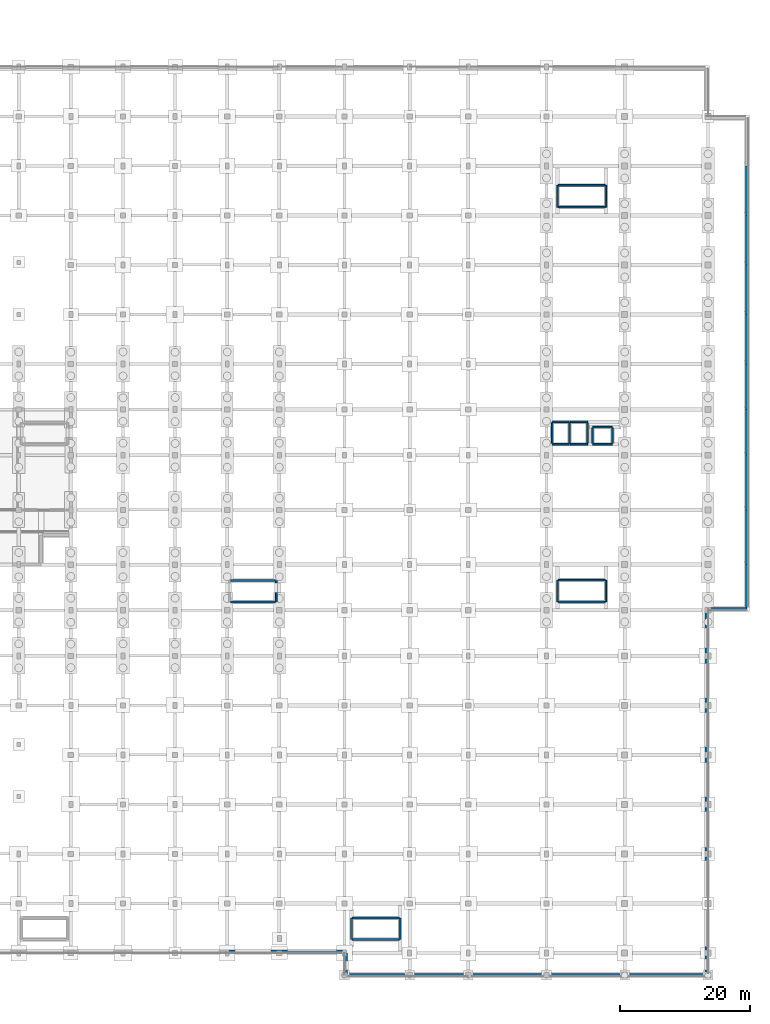
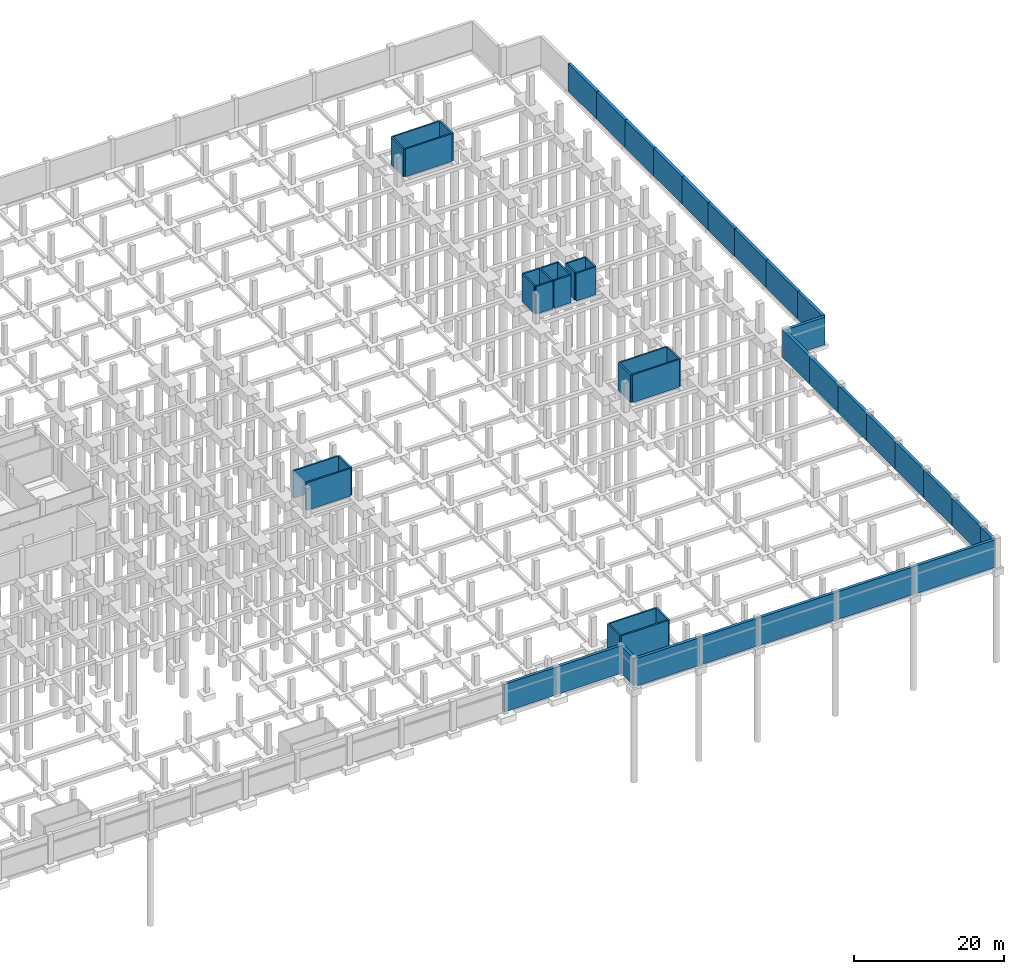
# One storey, part 37 of 50: 52 walls.
"""IFC4 building model written with IfcOpenShell, lengths in metres."""

from ifc_helpers import new_model, si_unit, direction, frame, frame_2d, origin, place, context, subcontext, project, spatial, rectangle, extrude, material, layer, layer_set, type_object, element, save


model = new_model("IFC4")

# Units and contexts
model_context = context("Model", 3, precision=1e-05, world=origin(), true_north=direction((0.0, 1.0)))
body_context = subcontext(model_context, "Body", "Model", "MODEL_VIEW")
ifc_project = project(units=[si_unit("LENGTHUNIT", "METRE"), si_unit("AREAUNIT", "SQUARE_METRE"), si_unit("VOLUMEUNIT", "CUBIC_METRE"), si_unit("PLANEANGLEUNIT", "RADIAN"), si_unit("MASSUNIT", "GRAM", prefix="KILO")], contexts=[model_context])

# Site, building, storey
site_placement = place(None, origin())
site = spatial("IfcSite", under=ifc_project, at=site_placement, CompositionType="ELEMENT")
building_placement = place(site_placement, origin())
building = spatial("IfcBuilding", under=site, at=building_placement, Name="Vekula Escarpment Museum", CompositionType="ELEMENT")
storey_placement = place(building_placement, frame((0.0, 0.0, -4.800048828125)))
storey = spatial("IfcBuildingStorey", under=building, at=storey_placement, Name="B1", CompositionType="ELEMENT", Elevation=-4.800048828125)

# Walls
ifc_material_1 = material(Name="Concrete C35/45", Category="concrete")
ifc_layer_1 = layer(ifc_material_1, 0.25)
ifc_layer_set_1 = layer_set([ifc_layer_1], Name="Concrete C35/45")
wall_type_1 = type_object("IfcWallType", Name="WL-CORE-250", PredefinedType="SHEAR", material=ifc_layer_set_1)
for number, where, z_axis, x_axis, name in (
    (1, (168.675048828125, 53.875, 0.0), (0.0, 0.0, 1.0), (0.0, 1.0, 0.0), "Stair Sub-Plinth Wall ST-02 W"),
    (2, (176.125, 53.875, 0.0), (0.0, 0.0, 1.0), (0.0, 1.0, 0.0), "Stair Sub-Plinth Wall ST-02 E"),
):
    element("IfcWall", number, at=place(storey_placement, frame(where, z_axis=z_axis, x_axis=x_axis)), inside=storey, type_object=wall_type_1, Name=name, PredefinedType="SHEAR", context=body_context, shape_type="SweptSolid", body=[
        extrude(rectangle(XDim=3.35009765625, YDim=0.25, at=frame_2d((1.675048828125, 0.0))), origin(), (0.0, 0.0, 1.0), 4.5),
    ])
for number, where, z_axis, x_axis, name in (
    (3, (168.803955078125, 53.875, 0.0), (0.0, 0.0, 1.0), (1.0, 0.0, 0.0), "Stair Sub-Plinth Wall ST-02 S"),
    (4, (168.803955078125, 57.22509765625, 0.0), (0.0, 0.0, 1.0), (1.0, 0.0, 0.0), "Stair Sub-Plinth Wall ST-02 N"),
):
    element("IfcWall", number, at=place(storey_placement, frame(where, z_axis=z_axis, x_axis=x_axis)), inside=storey, type_object=wall_type_1, Name=name, PredefinedType="SHEAR", context=body_context, shape_type="SweptSolid", body=[
        extrude(rectangle(XDim=7.192138671875, YDim=0.25, at=frame_2d((3.59619140625, 0.0))), origin(), (0.0, 0.0, 1.0), 4.5),
    ])
for number, where, z_axis, x_axis, name in (
    (5, (168.675048828125, 114.47509765625, 0.0), (0.0, 0.0, 1.0), (0.0, 1.0, 0.0), "Stair Sub-Plinth Wall ST-05 W"),
    (6, (176.125, 114.47509765625, 0.0), (0.0, 0.0, 1.0), (0.0, 1.0, 0.0), "Stair Sub-Plinth Wall ST-05 E"),
):
    element("IfcWall", number, at=place(storey_placement, frame(where, z_axis=z_axis, x_axis=x_axis)), inside=storey, type_object=wall_type_1, Name=name, PredefinedType="SHEAR", context=body_context, shape_type="SweptSolid", body=[
        extrude(rectangle(XDim=3.349853515625, YDim=0.25, at=frame_2d((1.6748046875, 0.0))), origin(), (0.0, 0.0, 1.0), 4.5),
    ])
for number, where, z_axis, x_axis, name in (
    (7, (168.803955078125, 114.47509765625, 0.0), (0.0, 0.0, 1.0), (1.0, 0.0, 0.0), "Stair Sub-Plinth Wall ST-05 S"),
    (8, (168.803955078125, 117.824951171875, 0.0), (0.0, 0.0, 1.0), (1.0, 0.0, 0.0), "Stair Sub-Plinth Wall ST-05 N"),
):
    element("IfcWall", number, at=place(storey_placement, frame(where, z_axis=z_axis, x_axis=x_axis)), inside=storey, type_object=wall_type_1, Name=name, PredefinedType="SHEAR", context=body_context, shape_type="SweptSolid", body=[
        extrude(rectangle(XDim=7.192138671875, YDim=0.25, at=frame_2d((3.59619140625, 0.0))), origin(), (0.0, 0.0, 1.0), 4.5),
    ])
for number, where, z_axis, x_axis, name in (
    (9, (137.074951171875, 2.074951171875, 0.0), (0.0, 0.0, 1.0), (0.0, 1.0, 0.0), "Stair Sub-Plinth Wall ST-06 W"),
    (10, (144.52490234375, 2.074951171875, 0.0), (0.0, 0.0, 1.0), (0.0, 1.0, 0.0), "Stair Sub-Plinth Wall ST-06 E"),
):
    element("IfcWall", number, at=place(storey_placement, frame(where, z_axis=z_axis, x_axis=x_axis)), inside=storey, type_object=wall_type_1, Name=name, PredefinedType="SHEAR", context=body_context, shape_type="SweptSolid", body=[
        extrude(rectangle(XDim=3.2900390625, YDim=0.25, at=frame_2d((1.64501953125, 0.0))), origin(), (0.0, 0.0, 1.0), 4.5),
    ])
for number, where, z_axis, x_axis, name in (
    (11, (137.2041015625, 2.074951171875, 0.0), (0.0, 0.0, 1.0), (1.0, 0.0, 0.0), "Stair Sub-Plinth Wall ST-06 S"),
    (12, (137.2041015625, 5.364990234375, 0.0), (0.0, 0.0, 1.0), (1.0, 0.0, 0.0), "Stair Sub-Plinth Wall ST-06 N"),
):
    element("IfcWall", number, at=place(storey_placement, frame(where, z_axis=z_axis, x_axis=x_axis)), inside=storey, type_object=wall_type_1, Name=name, PredefinedType="SHEAR", context=body_context, shape_type="SweptSolid", body=[
        extrude(rectangle(XDim=7.19189453125, YDim=0.25, at=frame_2d((3.595947265625, 0.0))), origin(), (0.0, 0.0, 1.0), 4.5),
    ])
wall_1_placement = place(storey_placement, frame((125.52490234375, 53.875, 0.0), z_axis=(0.0, 0.0, 1.0), x_axis=(0.0, 1.0, 0.0)))
element("IfcWall", 13, at=wall_1_placement, inside=storey, type_object=wall_type_1, Name="Stair Sub-Plinth Wall ST-08 E", PredefinedType="SHEAR", context=body_context, shape_type="SweptSolid", body=[
    extrude(rectangle(XDim=3.2900390625, YDim=0.25, at=frame_2d((1.64501953125, 0.0))), origin(), (0.0, 0.0, 1.0), 4.5),
])
for number, where, z_axis, x_axis, name in (
    (14, (118.50390625, 53.875, 0.0), (0.0, 0.0, 1.0), (1.0, 0.0, 0.0), "Stair Sub-Plinth Wall ST-08 S"),
    (15, (118.50390625, 57.1650390625, 0.0), (0.0, 0.0, 1.0), (1.0, 0.0, 0.0), "Stair Sub-Plinth Wall ST-08 N"),
):
    element("IfcWall", number, at=place(storey_placement, frame(where, z_axis=z_axis, x_axis=x_axis)), inside=storey, type_object=wall_type_1, Name=name, PredefinedType="SHEAR", context=body_context, shape_type="SweptSolid", body=[
        extrude(rectangle(XDim=6.89208984375, YDim=0.25, at=frame_2d((3.446044921875, 0.0))), origin(), (0.0, 0.0, 1.0), 4.5),
    ])
ifc_material_2 = material(Name="Inkisi arkosic sandstone masonry", Category="masonry")
ifc_layer_2 = layer(ifc_material_2, 0.449951171875)
ifc_layer_set_2 = layer_set([ifc_layer_2], Name="Inkisi arkosic sandstone masonry")
wall_type_2 = type_object("IfcWallType", Name="WL-PLN-450", PredefinedType="SOLIDWALL", material=ifc_layer_set_2)
wall_2_placement = place(storey_placement, frame((118.0, 0.22509765625, 0.0), z_axis=(0.0, 0.0, 1.0), x_axis=(1.0, 0.0, 0.0)))
element("IfcWall", 16, at=wall_2_placement, inside=storey, type_object=wall_type_2, Name="Sandstone Plinth Perimeter Wall 0017", PredefinedType="SOLIDWALL", context=body_context, shape_type="SweptSolid", body=[
    extrude(rectangle(XDim=8.0, YDim=0.449951171875, at=frame_2d((4.0, 0.0))), origin(), (0.0, 0.0, 1.0), 4.5),
])
wall_3_placement = place(storey_placement, frame((126.0, 0.22509765625, 0.0), z_axis=(0.0, 0.0, 1.0), x_axis=(1.0, 0.0, 0.0)))
element("IfcWall", 17, at=wall_3_placement, inside=storey, type_object=wall_type_2, Name="Sandstone Plinth Perimeter Wall 0018", PredefinedType="SOLIDWALL", context=body_context, shape_type="SweptSolid", body=[
    extrude(rectangle(XDim=10.22509765625, YDim=0.449951171875, at=frame_2d((5.112548828125, 0.0))), origin(), (0.0, 0.0, 1.0), 4.5),
])
wall_4_placement = place(storey_placement, frame((136.22509765625, -0.00390625, 0.0), z_axis=(0.0, 0.0, 1.0), x_axis=(0.0, -1.0, 0.0)))
element("IfcWall", 18, at=wall_4_placement, inside=storey, type_object=wall_type_2, Name="Sandstone Plinth Perimeter Wall 0019", PredefinedType="SOLIDWALL", context=body_context, shape_type="SweptSolid", body=[
    extrude(rectangle(XDim=3.37109375, YDim=0.449951171875, at=frame_2d((1.685546875, 0.0))), origin(), (0.0, 0.0, 1.0), 4.5),
])
wall_5_placement = place(storey_placement, frame((136.4541015625, -3.375, 0.0), z_axis=(0.0, 0.0, 1.0), x_axis=(1.0, 0.0, 0.0)))
element("IfcWall", 19, at=wall_5_placement, inside=storey, type_object=wall_type_2, Name="Sandstone Plinth Perimeter Wall 0020", PredefinedType="SOLIDWALL", context=body_context, shape_type="SweptSolid", body=[
    extrude(rectangle(XDim=9.5458984375, YDim=0.449951171875, at=frame_2d((4.77294921875, 0.0))), origin(), (0.0, 0.0, 1.0), 4.5),
])
wall_6_placement = place(storey_placement, frame((146.0, -3.375, 0.0), z_axis=(0.0, 0.0, 1.0), x_axis=(1.0, 0.0, 0.0)))
element("IfcWall", 20, at=wall_6_placement, inside=storey, type_object=wall_type_2, Name="Sandstone Plinth Perimeter Wall 0021", PredefinedType="SOLIDWALL", context=body_context, shape_type="SweptSolid", body=[
    extrude(rectangle(XDim=9.0, YDim=0.449951171875, at=frame_2d((4.5, 0.0))), origin(), (0.0, 0.0, 1.0), 4.5),
])
for number, where, z_axis, x_axis, name in (
    (21, (155.0, -3.375, 0.0), (0.0, 0.0, 1.0), (1.0, 0.0, 0.0), "Sandstone Plinth Perimeter Wall 0022"),
    (22, (167.0, -3.375, 0.0), (0.0, 0.0, 1.0), (1.0, 0.0, 0.0), "Sandstone Plinth Perimeter Wall 0023"),
):
    element("IfcWall", number, at=place(storey_placement, frame(where, z_axis=z_axis, x_axis=x_axis)), inside=storey, type_object=wall_type_2, Name=name, PredefinedType="SOLIDWALL", context=body_context, shape_type="SweptSolid", body=[
        extrude(rectangle(XDim=12.0, YDim=0.449951171875, at=frame_2d((6.0, 0.0))), origin(), (0.0, 0.0, 1.0), 4.5),
    ])
wall_7_placement = place(storey_placement, frame((179.0, -3.375, 0.0), z_axis=(0.0, 0.0, 1.0), x_axis=(1.0, 0.0, 0.0)))
element("IfcWall", 23, at=wall_7_placement, inside=storey, type_object=wall_type_2, Name="Sandstone Plinth Perimeter Wall 0024", PredefinedType="SOLIDWALL", context=body_context, shape_type="SweptSolid", body=[
    extrude(rectangle(XDim=12.574951171875, YDim=0.449951171875, at=frame_2d((6.28759765625, 0.0))), origin(), (0.0, 0.0, 1.0), 4.5),
])
wall_8_placement = place(storey_placement, frame((191.574951171875, -3.14599609375, 0.0), z_axis=(0.0, 0.0, 1.0), x_axis=(0.0, 1.0, 0.0)))
element("IfcWall", 24, at=wall_8_placement, inside=storey, type_object=wall_type_2, Name="Sandstone Plinth Perimeter Wall 0025", PredefinedType="SOLIDWALL", context=body_context, shape_type="SweptSolid", body=[
    extrude(rectangle(XDim=3.14599609375, YDim=0.449951171875, at=frame_2d((1.572998046875, 0.0))), origin(), (0.0, 0.0, 1.0), 4.5),
])
wall_9_placement = place(storey_placement, frame((191.574951171875, 0.0, 0.0), z_axis=(0.0, 0.0, 1.0), x_axis=(0.0, 1.0, 0.0)))
element("IfcWall", 25, at=wall_9_placement, inside=storey, type_object=wall_type_2, Name="Sandstone Plinth Perimeter Wall 0026", PredefinedType="SOLIDWALL", context=body_context, shape_type="SweptSolid", body=[
    extrude(rectangle(XDim=7.60009765625, YDim=0.449951171875, at=frame_2d((3.800048828125, 0.0))), origin(), (0.0, 0.0, 1.0), 4.5),
])
wall_10_placement = place(storey_placement, frame((191.574951171875, 7.60009765625, 0.0), z_axis=(0.0, 0.0, 1.0), x_axis=(0.0, 1.0, 0.0)))
element("IfcWall", 26, at=wall_10_placement, inside=storey, type_object=wall_type_2, Name="Sandstone Plinth Perimeter Wall 0027", PredefinedType="SOLIDWALL", context=body_context, shape_type="SweptSolid", body=[
    extrude(rectangle(XDim=7.599853515625, YDim=0.449951171875, at=frame_2d((3.7998046875, 0.0))), origin(), (0.0, 0.0, 1.0), 4.5),
])
wall_11_placement = place(storey_placement, frame((191.574951171875, 15.199951171875, 0.0), z_axis=(0.0, 0.0, 1.0), x_axis=(0.0, 1.0, 0.0)))
element("IfcWall", 27, at=wall_11_placement, inside=storey, type_object=wall_type_2, Name="Sandstone Plinth Perimeter Wall 0028", PredefinedType="SOLIDWALL", context=body_context, shape_type="SweptSolid", body=[
    extrude(rectangle(XDim=7.60009765625, YDim=0.449951171875, at=frame_2d((3.800048828125, 0.0))), origin(), (0.0, 0.0, 1.0), 4.5),
])
wall_12_placement = place(storey_placement, frame((191.574951171875, 22.800048828125, 0.0), z_axis=(0.0, 0.0, 1.0), x_axis=(0.0, 1.0, 0.0)))
element("IfcWall", 28, at=wall_12_placement, inside=storey, type_object=wall_type_2, Name="Sandstone Plinth Perimeter Wall 0029", PredefinedType="SOLIDWALL", context=body_context, shape_type="SweptSolid", body=[
    extrude(rectangle(XDim=7.599853515625, YDim=0.449951171875, at=frame_2d((3.7998046875, 0.0))), origin(), (0.0, 0.0, 1.0), 4.5),
])
for number, where, z_axis, x_axis, name in (
    (29, (191.574951171875, 30.39990234375, 0.0), (0.0, 0.0, 1.0), (0.0, 1.0, 0.0), "Sandstone Plinth Perimeter Wall 0030"),
    (30, (191.574951171875, 38.0, 0.0), (0.0, 0.0, 1.0), (0.0, 1.0, 0.0), "Sandstone Plinth Perimeter Wall 0031"),
):
    element("IfcWall", number, at=place(storey_placement, frame(where, z_axis=z_axis, x_axis=x_axis)), inside=storey, type_object=wall_type_2, Name=name, PredefinedType="SOLIDWALL", context=body_context, shape_type="SweptSolid", body=[
        extrude(rectangle(XDim=7.60009765625, YDim=0.449951171875, at=frame_2d((3.800048828125, 0.0))), origin(), (0.0, 0.0, 1.0), 4.5),
    ])
wall_13_placement = place(storey_placement, frame((191.574951171875, 45.60009765625, 0.0), z_axis=(0.0, 0.0, 1.0), x_axis=(0.0, 1.0, 0.0)))
element("IfcWall", 31, at=wall_13_placement, inside=storey, type_object=wall_type_2, Name="Sandstone Plinth Perimeter Wall 0032", PredefinedType="SOLIDWALL", context=body_context, shape_type="SweptSolid", body=[
    extrude(rectangle(XDim=7.224853515625, YDim=0.449951171875, at=frame_2d((3.6123046875, 0.0))), origin(), (0.0, 0.0, 1.0), 4.5),
])
wall_14_placement = place(storey_placement, frame((191.803955078125, 52.824951171875, 0.0), z_axis=(0.0, 0.0, 1.0), x_axis=(1.0, 0.0, 0.0)))
element("IfcWall", 32, at=wall_14_placement, inside=storey, type_object=wall_type_2, Name="Sandstone Plinth Perimeter Wall 0033", PredefinedType="SOLIDWALL", context=body_context, shape_type="SweptSolid", body=[
    extrude(rectangle(XDim=5.970947265625, YDim=0.449951171875, at=frame_2d((2.9853515625, 0.0))), origin(), (0.0, 0.0, 1.0), 4.5),
])
wall_15_placement = place(storey_placement, frame((197.77490234375, 53.053955078125, 0.0), z_axis=(0.0, 0.0, 1.0), x_axis=(0.0, 1.0, 0.0)))
element("IfcWall", 33, at=wall_15_placement, inside=storey, type_object=wall_type_2, Name="Sandstone Plinth Perimeter Wall 0034", PredefinedType="SOLIDWALL", context=body_context, shape_type="SweptSolid", body=[
    extrude(rectangle(XDim=6.546142578125, YDim=0.449951171875, at=frame_2d((3.27294921875, 0.0))), origin(), (0.0, 0.0, 1.0), 4.5),
])
for number, where, z_axis, x_axis, name in (
    (34, (197.77490234375, 59.60009765625, 0.0), (0.0, 0.0, 1.0), (0.0, 1.0, 0.0), "Sandstone Plinth Perimeter Wall 0035"),
    (35, (197.77490234375, 68.0, 0.0), (0.0, 0.0, 1.0), (0.0, 1.0, 0.0), "Sandstone Plinth Perimeter Wall 0036"),
):
    element("IfcWall", number, at=place(storey_placement, frame(where, z_axis=z_axis, x_axis=x_axis)), inside=storey, type_object=wall_type_2, Name=name, PredefinedType="SOLIDWALL", context=body_context, shape_type="SweptSolid", body=[
        extrude(rectangle(XDim=8.39990234375, YDim=0.449951171875, at=frame_2d((4.199951171875, 0.0))), origin(), (0.0, 0.0, 1.0), 4.5),
    ])
for number, where, z_axis, x_axis, name in (
    (36, (197.77490234375, 76.39990234375, 0.0), (0.0, 0.0, 1.0), (0.0, 1.0, 0.0), "Sandstone Plinth Perimeter Wall 0037"),
    (37, (197.77490234375, 83.39990234375, 0.0), (0.0, 0.0, 1.0), (0.0, 1.0, 0.0), "Sandstone Plinth Perimeter Wall 0038"),
):
    element("IfcWall", number, at=place(storey_placement, frame(where, z_axis=z_axis, x_axis=x_axis)), inside=storey, type_object=wall_type_2, Name=name, PredefinedType="SOLIDWALL", context=body_context, shape_type="SweptSolid", body=[
        extrude(rectangle(XDim=7.0, YDim=0.449951171875, at=frame_2d((3.5, 0.0))), origin(), (0.0, 0.0, 1.0), 4.5),
    ])
for number, where, z_axis, x_axis, name in (
    (38, (197.77490234375, 90.39990234375, 0.0), (0.0, 0.0, 1.0), (0.0, 1.0, 0.0), "Sandstone Plinth Perimeter Wall 0039"),
    (39, (197.77490234375, 98.0, 0.0), (0.0, 0.0, 1.0), (0.0, 1.0, 0.0), "Sandstone Plinth Perimeter Wall 0040"),
):
    element("IfcWall", number, at=place(storey_placement, frame(where, z_axis=z_axis, x_axis=x_axis)), inside=storey, type_object=wall_type_2, Name=name, PredefinedType="SOLIDWALL", context=body_context, shape_type="SweptSolid", body=[
        extrude(rectangle(XDim=7.60009765625, YDim=0.449951171875, at=frame_2d((3.800048828125, 0.0))), origin(), (0.0, 0.0, 1.0), 4.5),
    ])
wall_16_placement = place(storey_placement, frame((197.77490234375, 105.60009765625, 0.0), z_axis=(0.0, 0.0, 1.0), x_axis=(0.0, 1.0, 0.0)))
element("IfcWall", 40, at=wall_16_placement, inside=storey, type_object=wall_type_2, Name="Sandstone Plinth Perimeter Wall 0041", PredefinedType="SOLIDWALL", context=body_context, shape_type="SweptSolid", body=[
    extrude(rectangle(XDim=7.599853515625, YDim=0.449951171875, at=frame_2d((3.7998046875, 0.0))), origin(), (0.0, 0.0, 1.0), 4.5),
])
wall_17_placement = place(storey_placement, frame((197.77490234375, 113.199951171875, 0.0), z_axis=(0.0, 0.0, 1.0), x_axis=(0.0, 1.0, 0.0)))
element("IfcWall", 41, at=wall_17_placement, inside=storey, type_object=wall_type_2, Name="Sandstone Plinth Perimeter Wall 0042", PredefinedType="SOLIDWALL", context=body_context, shape_type="SweptSolid", body=[
    extrude(rectangle(XDim=7.60009765625, YDim=0.449951171875, at=frame_2d((3.800048828125, 0.0))), origin(), (0.0, 0.0, 1.0), 4.5),
])
ifc_material_3 = material(Name="Concrete C35/45", Category="concrete")
ifc_layer_3 = layer(ifc_material_3, 0.239990234375)
ifc_layer_set_3 = layer_set([ifc_layer_3], Name="Concrete C35/45")
wall_type_3 = type_object("IfcWallType", Name="WL-SHF-240", PredefinedType="SHEAR", material=ifc_layer_set_3)
for number, where, z_axis, x_axis, name in (
    (42, (167.8798828125, 78.080078125, 0.0), (0.0, 0.0, 1.0), (1.0, 0.0, 0.0), "Lift Sub-Plinth Wall LF-01 S"),
    (43, (167.8798828125, 81.52001953125, 0.0), (0.0, 0.0, 1.0), (1.0, 0.0, 0.0), "Lift Sub-Plinth Wall LF-01 N"),
):
    element("IfcWall", number, at=place(storey_placement, frame(where, z_axis=z_axis, x_axis=x_axis)), inside=storey, type_object=wall_type_3, Name=name, PredefinedType="SHEAR", context=body_context, shape_type="SweptSolid", body=[
        extrude(rectangle(XDim=2.64013671875, YDim=0.239990234375, at=frame_2d((1.320068359375, 0.0))), origin(), (0.0, 0.0, 1.0), 4.5),
    ])
for number, where, z_axis, x_axis, name in (
    (44, (167.8798828125, 78.2041015625, 0.0), (0.0, 0.0, 1.0), (0.0, 1.0, 0.0), "Lift Sub-Plinth Wall LF-01 W"),
    (45, (170.52001953125, 78.2041015625, 0.0), (0.0, 0.0, 1.0), (0.0, 1.0, 0.0), "Lift Sub-Plinth Wall LF-01 E"),
):
    element("IfcWall", number, at=place(storey_placement, frame(where, z_axis=z_axis, x_axis=x_axis)), inside=storey, type_object=wall_type_3, Name=name, PredefinedType="SHEAR", context=body_context, shape_type="SweptSolid", body=[
        extrude(rectangle(XDim=3.19189453125, YDim=0.239990234375, at=frame_2d((1.595947265625, 0.0))), origin(), (0.0, 0.0, 1.0), 4.5),
    ])
for number, where, z_axis, x_axis, name in (
    (46, (170.679931640625, 78.080078125, 0.0), (0.0, 0.0, 1.0), (1.0, 0.0, 0.0), "Lift Sub-Plinth Wall LF-02 S"),
    (47, (170.679931640625, 81.52001953125, 0.0), (0.0, 0.0, 1.0), (1.0, 0.0, 0.0), "Lift Sub-Plinth Wall LF-02 N"),
):
    element("IfcWall", number, at=place(storey_placement, frame(where, z_axis=z_axis, x_axis=x_axis)), inside=storey, type_object=wall_type_3, Name=name, PredefinedType="SHEAR", context=body_context, shape_type="SweptSolid", body=[
        extrude(rectangle(XDim=2.64013671875, YDim=0.239990234375, at=frame_2d((1.320068359375, 0.0))), origin(), (0.0, 0.0, 1.0), 4.5),
    ])
wall_18_placement = place(storey_placement, frame((173.320068359375, 78.2041015625, 0.0), z_axis=(0.0, 0.0, 1.0), x_axis=(0.0, 1.0, 0.0)))
element("IfcWall", 48, at=wall_18_placement, inside=storey, type_object=wall_type_3, Name="Lift Sub-Plinth Wall LF-02 E", PredefinedType="SHEAR", context=body_context, shape_type="SweptSolid", body=[
    extrude(rectangle(XDim=3.19189453125, YDim=0.239990234375, at=frame_2d((1.595947265625, 0.0))), origin(), (0.0, 0.0, 1.0), 4.5),
])
for number, where, z_axis, x_axis, name in (
    (49, (174.080078125, 78.080078125, 0.0), (0.0, 0.0, 1.0), (1.0, 0.0, 0.0), "Lift Sub-Plinth Wall LP-03 S"),
    (50, (174.080078125, 80.719970703125, 0.0), (0.0, 0.0, 1.0), (1.0, 0.0, 0.0), "Lift Sub-Plinth Wall LP-03 N"),
):
    element("IfcWall", number, at=place(storey_placement, frame(where, z_axis=z_axis, x_axis=x_axis)), inside=storey, type_object=wall_type_3, Name=name, PredefinedType="SHEAR", context=body_context, shape_type="SweptSolid", body=[
        extrude(rectangle(XDim=3.0400390625, YDim=0.239990234375, at=frame_2d((1.52001953125, 0.0))), origin(), (0.0, 0.0, 1.0), 4.5),
    ])
for number, where, z_axis, x_axis, name in (
    (51, (174.080078125, 78.2041015625, 0.0), (0.0, 0.0, 1.0), (0.0, 1.0, 0.0), "Lift Sub-Plinth Wall LP-03 W"),
    (52, (177.1201171875, 78.2041015625, 0.0), (0.0, 0.0, 1.0), (0.0, 1.0, 0.0), "Lift Sub-Plinth Wall LP-03 E"),
):
    element("IfcWall", number, at=place(storey_placement, frame(where, z_axis=z_axis, x_axis=x_axis)), inside=storey, type_object=wall_type_3, Name=name, PredefinedType="SHEAR", context=body_context, shape_type="SweptSolid", body=[
        extrude(rectangle(XDim=2.391845703125, YDim=0.239990234375, at=frame_2d((1.19580078125, 0.0))), origin(), (0.0, 0.0, 1.0), 4.5),
    ])

save(model, "model.ifc")
